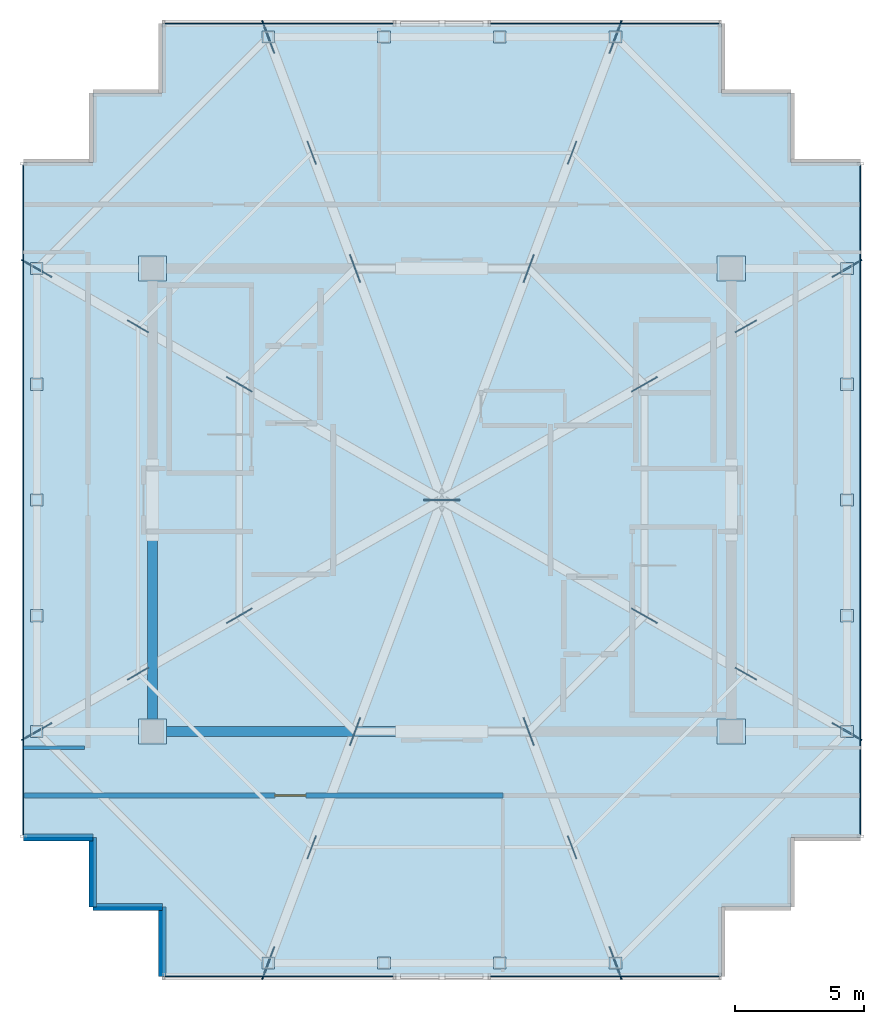
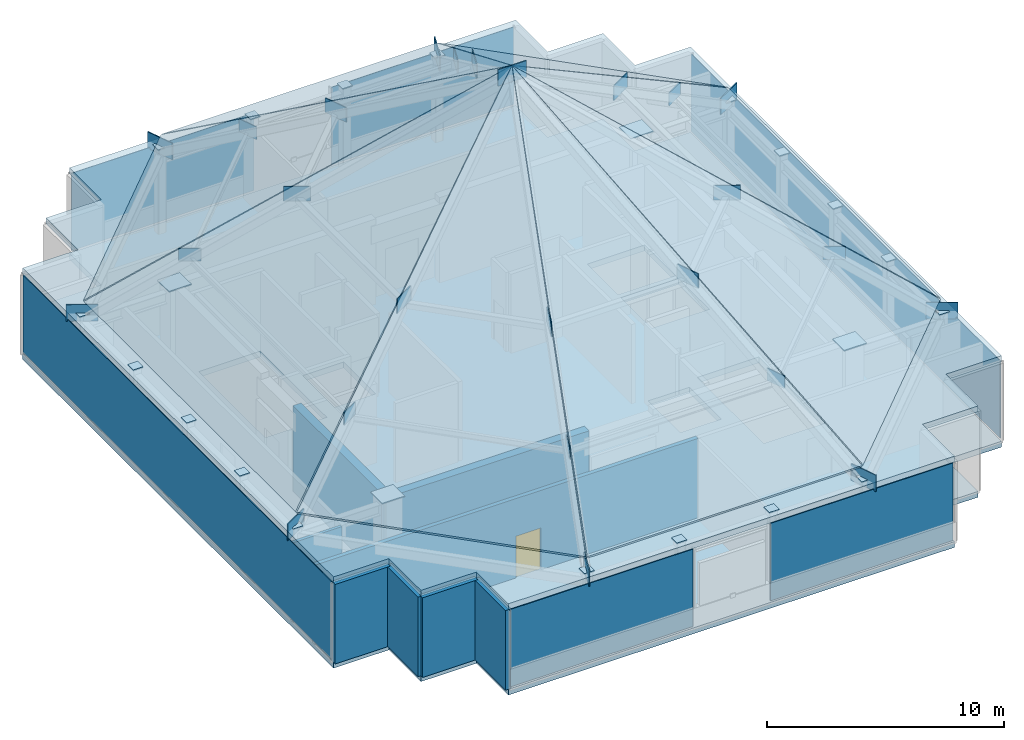
# One storey, part 14 of 17: 53 plates, 10 slabs, 8 walls, 1 door, 1 opening, 6 elements without a shape of their own.
"""IFC4 building model written with IfcOpenShell, lengths in metres."""

from ifc_helpers import new_model, si_unit, direction, frame, frame_2d, origin, origin_2d, place, context, subcontext, project, spatial, polyline, rectangle, outline, extrude, source, transform, mapped, material, layer, layer_set, type_object, element, fill, aggregate, save


model = new_model("IFC4")

# Units and contexts
model_context = context("Model", 3, precision=1e-05, world=origin(), true_north=direction((0.0, 1.0)))
body_context = subcontext(model_context, "Body", "Model", "MODEL_VIEW")
ifc_project = project(units=[si_unit("LENGTHUNIT", "METRE"), si_unit("AREAUNIT", "SQUARE_METRE"), si_unit("VOLUMEUNIT", "CUBIC_METRE"), si_unit("PLANEANGLEUNIT", "RADIAN"), si_unit("MASSUNIT", "GRAM", prefix="KILO")], contexts=[model_context])

# Site, building, storey
site_placement = place(None, origin())
site = spatial("IfcSite", under=ifc_project, at=site_placement, CompositionType="ELEMENT")
building_placement = place(site_placement, origin())
building = spatial("IfcBuilding", under=site, at=building_placement, Name="Nefas-Gora Pilgrimage Tower", CompositionType="ELEMENT")
storey_placement = place(building_placement, frame((0.0, 0.0, 367.39990234375)))
storey = spatial("IfcBuildingStorey", under=building, at=storey_placement, Name="L92", CompositionType="ELEMENT", Elevation=367.39990234375)

# Slabs
ifc_material_1 = material(Name="Precast concrete C45/55", Category="concrete")
ifc_layer_1 = layer(ifc_material_1, 0.219970703125)
ifc_layer_set_1 = layer_set([ifc_layer_1], Name="Precast concrete C45/55")
slab_type_1 = type_object("IfcSlabType", Name="SLB-CROWN-220", PredefinedType="ROOF", material=ifc_layer_set_1)
slab_1_placement = place(storey_placement, frame((15.7080078125, -8.927978515625, 5.02783203125), z_axis=(0.609306005038, 0.0, 0.792935175298), x_axis=(0.0, 1.0, 0.0)))
element("IfcSlab", 1, at=slab_1_placement, inside=storey, type_object=slab_type_1, Name="Glass-Point Crown Faceted Roof Plane 1", PredefinedType="ROOF", context=body_context, shape_type="SweptSolid", body=[
    extrude(outline(polyline([(0.0, 0.0), (17.85595703125, 0.0), (8.927978515625, 19.796712587167566), (0.0, 0.0)])), origin(), (0.0, 0.0, -1.0), 0.219970703125),
])
slab_2_placement = place(storey_placement, frame((15.68408203125, 9.0, 5.02783203125), z_axis=(0.402191260883, 0.402191260883, 0.822486704658), x_axis=(-0.707106781187, 0.707106781187, 0.0)))
element("IfcSlab", 2, at=slab_2_placement, inside=storey, type_object=slab_type_1, Name="Glass-Point Crown Faceted Roof Plane 2", PredefinedType="ROOF", context=body_context, shape_type="SweptSolid", body=[
    extrude(outline(polyline([(0.0, 0.0), (12.62606830137249, 0.0), (4.727395531253031, 21.207081665215227), (0.0, 0.0)])), origin(), (0.0, 0.0, -1.0), 0.219970703125),
])
slab_3_placement = place(storey_placement, frame((6.696044921875, 17.951904296875, 5.02783203125), z_axis=(0.0, 0.557971844715, 0.829859880044), x_axis=(-1.0, 0.0, 0.0)))
element("IfcSlab", 3, at=slab_3_placement, inside=storey, type_object=slab_type_1, Name="Glass-Point Crown Faceted Roof Plane 3", PredefinedType="ROOF", context=body_context, shape_type="SweptSolid", body=[
    extrude(outline(polyline([(0.0, 0.0), (13.39208984375, 0.0), (6.696044921875, 21.618036776652723), (0.0, 0.0)])), origin(), (0.0, 0.0, -1.0), 0.219970703125),
])
slab_4_placement = place(storey_placement, frame((-6.756103515625, 17.927978515625, 5.02783203125), z_axis=(-0.402191260883, 0.402191260883, 0.822486704658), x_axis=(-0.707106781187, -0.707106781187, 0.0)))
element("IfcSlab", 4, at=slab_4_placement, inside=storey, type_object=slab_type_1, Name="Glass-Point Crown Faceted Roof Plane 4", PredefinedType="ROOF", context=body_context, shape_type="SweptSolid", body=[
    extrude(outline(polyline([(0.0, 0.0), (12.62606830137249, 0.0), (7.8986727701194575, 21.20708166521523), (0.0, 0.0)])), origin(), (0.0, 0.0, -1.0), 0.219970703125),
])
slab_5_placement = place(storey_placement, frame((-15.7080078125, 8.927978515625, 5.02783203125), z_axis=(-0.609306005038, 0.0, 0.792935175298), x_axis=(0.0, -1.0, 0.0)))
element("IfcSlab", 5, at=slab_5_placement, inside=storey, type_object=slab_type_1, Name="Glass-Point Crown Faceted Roof Plane 5", PredefinedType="ROOF", context=body_context, shape_type="SweptSolid", body=[
    extrude(outline(polyline([(0.0, 0.0), (17.85595703125, 0.0), (8.927978515625, 19.796712587167566), (0.0, 0.0)])), origin(), (0.0, 0.0, -1.0), 0.219970703125),
])
slab_6_placement = place(storey_placement, frame((-15.68408203125, -9.0, 5.02783203125), z_axis=(-0.402191260883, -0.402191260883, 0.822486704658), x_axis=(0.707106781187, -0.707106781187, 0.0)))
element("IfcSlab", 6, at=slab_6_placement, inside=storey, type_object=slab_type_1, Name="Glass-Point Crown Faceted Roof Plane 6", PredefinedType="ROOF", context=body_context, shape_type="SweptSolid", body=[
    extrude(outline(polyline([(0.0, 0.0), (12.62606830137249, 0.0), (4.727395531253031, 21.207081665215227), (0.0, 0.0)])), origin(), (0.0, 0.0, -1.0), 0.219970703125),
])
slab_7_placement = place(storey_placement, frame((-6.696044921875, -17.951904296875, 5.02783203125), z_axis=(0.0, -0.557971844715, 0.829859880044), x_axis=(1.0, 0.0, 0.0)))
element("IfcSlab", 7, at=slab_7_placement, inside=storey, type_object=slab_type_1, Name="Glass-Point Crown Faceted Roof Plane 7", PredefinedType="ROOF", context=body_context, shape_type="SweptSolid", body=[
    extrude(outline(polyline([(0.0, 0.0), (13.39208984375, 0.0), (6.696044921875, 21.618036776652723), (0.0, 0.0)])), origin(), (0.0, 0.0, -1.0), 0.219970703125),
])
slab_8_placement = place(storey_placement, frame((6.756103515625, -17.927978515625, 5.02783203125), z_axis=(0.402191260883, -0.402191260883, 0.822486704658), x_axis=(0.707106781187, 0.707106781187, 0.0)))
element("IfcSlab", 8, at=slab_8_placement, inside=storey, type_object=slab_type_1, Name="Glass-Point Crown Faceted Roof Plane 8", PredefinedType="ROOF", context=body_context, shape_type="SweptSolid", body=[
    extrude(outline(polyline([(0.0, 0.0), (12.62606830137249, 0.0), (7.8986727701194575, 21.20708166521523), (0.0, 0.0)])), origin(), (0.0, 0.0, -1.0), 0.219970703125),
])
ifc_material_2 = material(Name="Concrete C45/55", Category="concrete")
ifc_layer_2 = layer(ifc_material_2, 0.300048828125)
ifc_layer_set_2 = layer_set([ifc_layer_2], Name="Concrete C45/55")
slab_type_2 = type_object("IfcSlabType", Name="SLB-SPEC-300", PredefinedType="FLOOR", material=ifc_layer_set_2)
slab_9_placement = place(storey_placement, frame((0.0, 0.0, -0.2998046875)))
element("IfcSlab", 9, at=slab_9_placement, inside=storey, type_object=slab_type_2, Name="L92 Structural Floor Slab", PredefinedType="FLOOR", context=body_context, shape_type="SweptSolid", body=[
    extrude(outline(polyline([(16.27001953125, 13.1201171875), (13.570068359375, 13.1201171875), (13.570068359375, 15.820068359375), (10.8701171875, 15.820068359375), (10.8701171875, 18.52001953125), (-10.8701171875, 18.52001953125), (-10.8701171875, 15.820068359375), (-13.570068359375, 15.820068359375), (-13.570068359375, 13.1201171875), (-16.27001953125, 13.1201171875), (-16.27001953125, -13.1201171875), (-13.570068359375, -13.1201171875), (-13.570068359375, -15.820068359375), (-10.8701171875, -15.820068359375), (-10.8701171875, -18.52001953125), (10.8701171875, -18.52001953125), (10.8701171875, -15.820068359375), (13.570068359375, -15.820068359375), (13.570068359375, -13.1201171875), (16.27001953125, -13.1201171875), (16.27001953125, 13.1201171875)]), holes=[polyline([(-10.5, 2.639892578125), (-10.5, 8.25), (-7.5, 8.25), (-7.5, 2.639892578125), (-10.5, 2.639892578125)]), polyline([(10.5, -2.639892578125), (10.5, -8.25), (7.5, -8.25), (7.5, -2.639892578125), (10.5, -2.639892578125)]), polyline([(-6.85009765625, 5.800048828125), (-4.85009765625, 5.800048828125), (-4.85009765625, 3.10009765625), (-6.85009765625, 3.10009765625), (-6.85009765625, 5.800048828125)]), polyline([(4.85009765625, -3.10009765625), (6.85009765625, -3.10009765625), (6.85009765625, -5.800048828125), (4.85009765625, -5.800048828125), (4.85009765625, -3.10009765625)]), polyline([(7.64990234375, 4.050048828125), (10.449951171875, 4.050048828125), (10.449951171875, 1.449951171875), (7.64990234375, 1.449951171875), (7.64990234375, 4.050048828125)]), polyline([(7.64990234375, 6.89990234375), (10.449951171875, 6.89990234375), (10.449951171875, 4.300048828125), (7.64990234375, 4.300048828125), (7.64990234375, 6.89990234375)])]), origin(), (0.0, 0.0, 1.0), 0.2998046875),
])
slab_10_placement = place(storey_placement, frame((0.0, 0.0, 4.10009765625)))
element("IfcSlab", 10, at=slab_10_placement, inside=storey, type_object=slab_type_2, Name="L92 Crown Base Structural Collar Deck", PredefinedType="FLOOR", context=body_context, shape_type="SweptSolid", body=[
    extrude(outline(polyline([(16.27001953125, 13.1201171875), (13.570068359375, 13.1201171875), (13.570068359375, 15.820068359375), (10.8701171875, 15.820068359375), (10.8701171875, 18.52001953125), (-10.8701171875, 18.52001953125), (-10.8701171875, 15.820068359375), (-13.570068359375, 15.820068359375), (-13.570068359375, 13.1201171875), (-16.27001953125, 13.1201171875), (-16.27001953125, -13.1201171875), (-13.570068359375, -13.1201171875), (-13.570068359375, -15.820068359375), (-10.8701171875, -15.820068359375), (-10.8701171875, -18.52001953125), (10.8701171875, -18.52001953125), (10.8701171875, -15.820068359375), (13.570068359375, -15.820068359375), (13.570068359375, -13.1201171875), (16.27001953125, -13.1201171875), (16.27001953125, 13.1201171875)])), origin(), (0.0, 0.0, 1.0), 0.300048828125),
])

# Plates
ifc_material_3 = material(Name="Steel S460", Category="steel")
ifc_layer_3 = layer(ifc_material_3, 0.0400390625)
ifc_layer_set_3 = layer_set([ifc_layer_3], Name="Steel S460")
plate_type_1 = type_object("IfcPlateType", Name="PLT-ENDCAP-40", PredefinedType="SHEET", material=ifc_layer_set_3)
shared_shape_1 = source(origin(), body_context, "Body", "SweptSolid", [
    extrude(rectangle(XDim=0.488037109375, YDim=0.47998046875, at=origin_2d()), origin(), (0.0, 0.0, 1.0), 0.050048828125),
])
for number, where, z_axis, x_axis, name in (
    (11, (-15.75, -9.0, 4.375), (0.0, 0.0, 1.0), (1.0, 0.0, 0.0), "L92 Setback Hollow Column Top Cap Plate 76"),
    (12, (-15.75, -4.5, 4.375), (0.0, 0.0, 1.0), (1.0, 0.0, 0.0), "L92 Setback Hollow Column Top Cap Plate 77"),
    (13, (-15.75, 0.0, 4.375), (0.0, 0.0, 1.0), (1.0, 0.0, 0.0), "L92 Setback Hollow Column Top Cap Plate 78"),
    (14, (-15.75, 4.5, 4.375), (0.0, 0.0, 1.0), (1.0, 0.0, 0.0), "L92 Setback Hollow Column Top Cap Plate 79"),
    (15, (-15.75, 9.0, 4.375), (0.0, 0.0, 1.0), (1.0, 0.0, 0.0), "L92 Setback Hollow Column Top Cap Plate 80"),
    (16, (-6.75, -18.0, 4.375), (0.0, 0.0, 1.0), (1.0, 0.0, 0.0), "L92 Setback Hollow Column Top Cap Plate 83"),
    (17, (-6.75, 18.0, 4.375), (0.0, 0.0, 1.0), (1.0, 0.0, 0.0), "L92 Setback Hollow Column Top Cap Plate 84"),
    (18, (-2.25, -18.0, 4.375), (0.0, 0.0, 1.0), (1.0, 0.0, 0.0), "L92 Setback Hollow Column Top Cap Plate 85"),
    (19, (-2.25, 18.0, 4.375), (0.0, 0.0, 1.0), (1.0, 0.0, 0.0), "L92 Setback Hollow Column Top Cap Plate 86"),
    (20, (2.25, -18.0, 4.375), (0.0, 0.0, 1.0), (1.0, 0.0, 0.0), "L92 Setback Hollow Column Top Cap Plate 87"),
    (21, (2.25, 18.0, 4.375), (0.0, 0.0, 1.0), (1.0, 0.0, 0.0), "L92 Setback Hollow Column Top Cap Plate 88"),
    (22, (6.75, -18.0, 4.375), (0.0, 0.0, 1.0), (1.0, 0.0, 0.0), "L92 Setback Hollow Column Top Cap Plate 89"),
    (23, (6.75, 18.0, 4.375), (0.0, 0.0, 1.0), (1.0, 0.0, 0.0), "L92 Setback Hollow Column Top Cap Plate 90"),
    (24, (15.75, -9.0, 4.375), (0.0, 0.0, 1.0), (1.0, 0.0, 0.0), "L92 Setback Hollow Column Top Cap Plate 93"),
    (25, (15.75, -4.5, 4.375), (0.0, 0.0, 1.0), (1.0, 0.0, 0.0), "L92 Setback Hollow Column Top Cap Plate 94"),
    (26, (15.75, 0.0, 4.375), (0.0, 0.0, 1.0), (1.0, 0.0, 0.0), "L92 Setback Hollow Column Top Cap Plate 95"),
    (27, (15.75, 4.5, 4.375), (0.0, 0.0, 1.0), (1.0, 0.0, 0.0), "L92 Setback Hollow Column Top Cap Plate 96"),
    (28, (15.75, 9.0, 4.375), (0.0, 0.0, 1.0), (1.0, 0.0, 0.0), "L92 Setback Hollow Column Top Cap Plate 97"),
):
    element("IfcPlate", number, at=place(storey_placement, frame(where, z_axis=z_axis, x_axis=x_axis)), inside=storey, type_object=plate_type_1, Name=name, PredefinedType="SHEET", context=body_context, shape_type="MappedRepresentation", body=[
        mapped(shared_shape_1, transform((0.0, 0.0, 0.0), x_axis=(1.0, 0.0, 0.0), y_axis=(0.0, 1.0, 0.0), z_axis=(0.0, 0.0, 1.0), scale=1.0)),
    ])
shared_shape_2 = source(origin(), body_context, "Body", "SweptSolid", [
    extrude(rectangle(XDim=1.097900390625, YDim=0.97998046875, at=origin_2d()), origin(), (0.0, 0.0, 1.0), 0.050048828125),
])
for number, where, z_axis, x_axis, name in (
    (29, (-11.25, -9.0, 4.375), (0.0, 0.0, 1.0), (1.0, 0.0, 0.0), "L92 Setback Hollow Column Top Cap Plate 81"),
    (30, (-11.25, 9.0, 4.375), (0.0, 0.0, 1.0), (1.0, 0.0, 0.0), "L92 Setback Hollow Column Top Cap Plate 82"),
    (31, (11.25, -9.0, 4.375), (0.0, 0.0, 1.0), (1.0, 0.0, 0.0), "L92 Setback Hollow Column Top Cap Plate 91"),
    (32, (11.25, 9.0, 4.375), (0.0, 0.0, 1.0), (1.0, 0.0, 0.0), "L92 Setback Hollow Column Top Cap Plate 92"),
):
    element("IfcPlate", number, at=place(storey_placement, frame(where, z_axis=z_axis, x_axis=x_axis)), inside=storey, type_object=plate_type_1, Name=name, PredefinedType="SHEET", context=body_context, shape_type="MappedRepresentation", body=[
        mapped(shared_shape_2, transform((0.0, 0.0, 0.0), x_axis=(1.0, 0.0, 0.0), y_axis=(0.0, 1.0, 0.0), z_axis=(0.0, 0.0, 1.0), scale=1.0)),
    ])
ifc_layer_4 = layer(ifc_material_3, 0.055908203125)
ifc_layer_set_4 = layer_set([ifc_layer_4], Name="Steel S460")
plate_type_2 = type_object("IfcPlateType", Name="PLT-NODE-N11", PredefinedType="USERDEFINED", material=ifc_layer_set_4)
shared_shape_3 = source(origin(), body_context, "Body", "SweptSolid", [
    extrude(rectangle(XDim=1.35009765625, YDim=0.050048828125, at=origin_2d()), origin(), (0.0, 0.0, 1.0), 0.85009765625),
])
for number, where, z_axis, x_axis, name in (
    (33, (15.75, -9.0, 3.9951171875), (0.0, 0.0, 1.0), (0.868285407383, -0.496064966839, 0.0), "Structural Node Gusset Plate N11 (L92)"),
    (34, (15.75, 9.0, 3.9951171875), (0.0, 0.0, 1.0), (0.868285407383, 0.496064966839, 0.0), "Structural Node Gusset Plate N11 (L92)"),
    (35, (6.75, 18.0, 3.9951171875), (0.0, 0.0, 1.0), (0.35118806988, 0.936304939415, 0.0), "Structural Node Gusset Plate N11 (L92)"),
    (36, (-6.75, 18.0, 3.9951171875), (0.0, 0.0, 1.0), (-0.35118806988, 0.936304939415, 0.0), "Structural Node Gusset Plate N11 (L92)"),
    (37, (-15.75, 9.0, 3.9951171875), (0.0, 0.0, 1.0), (-0.868285407383, 0.496064966839, 0.0), "Structural Node Gusset Plate N11 (L92)"),
    (38, (-15.75, -9.0, 3.9951171875), (0.0, 0.0, 1.0), (-0.868285407383, -0.496064966839, 0.0), "Structural Node Gusset Plate N11 (L92)"),
    (39, (-6.75, -18.0, 3.9951171875), (0.0, 0.0, 1.0), (-0.35118806988, -0.936304939415, 0.0), "Structural Node Gusset Plate N11 (L92)"),
    (40, (6.75, -18.0, 3.9951171875), (0.0, 0.0, 1.0), (0.35118806988, -0.936304939415, 0.0), "Structural Node Gusset Plate N11 (L92)"),
):
    element("IfcPlate", number, at=place(storey_placement, frame(where, z_axis=z_axis, x_axis=x_axis)), inside=storey, type_object=plate_type_2, Name=name, ObjectType="GUSSET_PLATE", PredefinedType="USERDEFINED", context=body_context, shape_type="MappedRepresentation", body=[
        mapped(shared_shape_3, transform((0.0, 0.0, 0.0), x_axis=(1.0, 0.0, 0.0), y_axis=(0.0, 1.0, 0.0), z_axis=(0.0, 0.0, 1.0), scale=1.0)),
    ])
shared_shape_4 = source(origin(), body_context, "Body", "SweptSolid", [
    extrude(rectangle(XDim=1.14990234375, YDim=0.0458984375, at=origin_2d()), origin(), (0.0, 0.0, 1.0), 0.75),
])
for number, where, z_axis, x_axis, name in (
    (41, (7.875, -4.5, 10.155029296875), (0.0, 0.0, 1.0), (0.868285407383, -0.496064966839, 0.0), "Structural Node Gusset Plate N11 (L92)"),
    (42, (7.875, 4.5, 10.155029296875), (0.0, 0.0, 1.0), (0.868285407383, 0.496064966839, 0.0), "Structural Node Gusset Plate N11 (L92)"),
    (43, (3.375, 9.0, 10.155029296875), (0.0, 0.0, 1.0), (0.35118806988, 0.936304939415, 0.0), "Structural Node Gusset Plate N11 (L92)"),
    (44, (-3.375, 9.0, 10.155029296875), (0.0, 0.0, 1.0), (-0.35118806988, 0.936304939415, 0.0), "Structural Node Gusset Plate N11 (L92)"),
    (45, (-7.875, 4.5, 10.155029296875), (0.0, 0.0, 1.0), (-0.868285407383, 0.496064966839, 0.0), "Structural Node Gusset Plate N11 (L92)"),
    (46, (-7.875, -4.5, 10.155029296875), (0.0, 0.0, 1.0), (-0.868285407383, -0.496064966839, 0.0), "Structural Node Gusset Plate N11 (L92)"),
    (47, (-3.375, -9.0, 10.155029296875), (0.0, 0.0, 1.0), (-0.35118806988, -0.936304939415, 0.0), "Structural Node Gusset Plate N11 (L92)"),
    (48, (3.375, -9.0, 10.155029296875), (0.0, 0.0, 1.0), (0.35118806988, -0.936304939415, 0.0), "Structural Node Gusset Plate N11 (L92)"),
):
    element("IfcPlate", number, at=place(storey_placement, frame(where, z_axis=z_axis, x_axis=x_axis)), inside=storey, type_object=plate_type_2, Name=name, ObjectType="GUSSET_PLATE", PredefinedType="USERDEFINED", context=body_context, shape_type="MappedRepresentation", body=[
        mapped(shared_shape_4, transform((0.0, 0.0, 0.0), x_axis=(1.0, 0.0, 0.0), y_axis=(0.0, 1.0, 0.0), z_axis=(0.0, 0.0, 1.0), scale=1.0)),
    ])
shared_shape_5 = source(origin(), body_context, "Body", "SweptSolid", [
    extrude(rectangle(XDim=0.949951171875, YDim=0.0419921875, at=origin_2d()), origin(), (0.0, 0.0, 1.0), 0.64990234375),
])
for number, where, z_axis, x_axis, name in (
    (49, (11.8125, -6.75, 7.080078125), (0.0, 0.0, 1.0), (0.868285407383, -0.496064966839, 0.0), "Structural Node Gusset Plate N11 (L92)"),
    (50, (11.8125, 6.75, 7.080078125), (0.0, 0.0, 1.0), (0.868285407383, 0.496064966839, 0.0), "Structural Node Gusset Plate N11 (L92)"),
    (51, (5.0625, 13.5, 7.080078125), (0.0, 0.0, 1.0), (0.35118806988, 0.936304939415, 0.0), "Structural Node Gusset Plate N11 (L92)"),
    (52, (-5.0625, 13.5, 7.080078125), (0.0, 0.0, 1.0), (-0.35118806988, 0.936304939415, 0.0), "Structural Node Gusset Plate N11 (L92)"),
    (53, (-11.8125, 6.75, 7.080078125), (0.0, 0.0, 1.0), (-0.868285407383, 0.496064966839, 0.0), "Structural Node Gusset Plate N11 (L92)"),
    (54, (-11.8125, -6.75, 7.080078125), (0.0, 0.0, 1.0), (-0.868285407383, -0.496064966839, 0.0), "Structural Node Gusset Plate N11 (L92)"),
    (55, (-5.0625, -13.5, 7.080078125), (0.0, 0.0, 1.0), (-0.35118806988, -0.936304939415, 0.0), "Structural Node Gusset Plate N11 (L92)"),
    (56, (5.0625, -13.5, 7.080078125), (0.0, 0.0, 1.0), (0.35118806988, -0.936304939415, 0.0), "Structural Node Gusset Plate N11 (L92)"),
):
    element("IfcPlate", number, at=place(storey_placement, frame(where, z_axis=z_axis, x_axis=x_axis)), inside=storey, type_object=plate_type_2, Name=name, ObjectType="GUSSET_PLATE", PredefinedType="USERDEFINED", context=body_context, shape_type="MappedRepresentation", body=[
        mapped(shared_shape_5, transform((0.0, 0.0, 0.0), x_axis=(1.0, 0.0, 0.0), y_axis=(0.0, 1.0, 0.0), z_axis=(0.0, 0.0, 1.0), scale=1.0)),
    ])
ifc_layer_5 = layer(ifc_material_3, 0.05810546875)
ifc_layer_set_5 = layer_set([ifc_layer_5], Name="Steel S460")
plate_type_3 = type_object("IfcPlateType", Name="PLT-NODE-N12", PredefinedType="USERDEFINED", material=ifc_layer_set_5)
shared_shape_6 = source(origin(), body_context, "Body", "SweptSolid", [
    extrude(rectangle(XDim=1.39990234375, YDim=0.05810546875, at=origin_2d()), origin(), (0.0, 0.0, 1.0), 0.85009765625),
])
plate_1_placement = place(storey_placement, frame((0.0, 0.0, 16.275146484375), z_axis=(0.0, 0.0, 1.0), x_axis=(1.0, 0.0, 0.0)))
element("IfcPlate", 57, at=plate_1_placement, inside=storey, type_object=plate_type_3, Name="Structural Node Gusset Plate N12 (L92)", ObjectType="GUSSET_PLATE", PredefinedType="USERDEFINED", context=body_context, shape_type="MappedRepresentation", body=[
    mapped(shared_shape_6, transform((0.0, 0.0, 0.0), x_axis=(1.0, 0.0, 0.0), y_axis=(0.0, 1.0, 0.0), z_axis=(0.0, 0.0, 1.0), scale=1.0)),
])

# Curtain wall, plate
ifc_material_4 = material(Name="Dark ceramic-fritted solar-control aluminium-glass curtain wall", Category="aluminium")
ifc_layer_6 = layer(ifc_material_4, 0.219970703125)
ifc_layer_set_6 = layer_set([ifc_layer_6], Name="Dark ceramic-fritted solar-control aluminium-glass curtain wall")
curtain_wall_type = type_object("IfcCurtainWallType", Name="CW-SYS-6", PredefinedType="NOTDEFINED", material=ifc_layer_set_6)
curtain_wall_1_placement = place(storey_placement, origin())
curtain_wall_1 = element("IfcCurtainWall", 58, at=curtain_wall_1_placement, inside=storey, type_object=curtain_wall_type, Name="L92 Unitised Curtain Wall CW6", PredefinedType="NOTDEFINED")
ifc_material_5 = material(Name="Dark ceramic-printed low-e insulated glass", Category="glass")
ifc_layer_7 = layer(ifc_material_5, 0.0400390625)
ifc_layer_set_7 = layer_set([ifc_layer_7], Name="Dark ceramic-printed low-e insulated glass")
plate_type_4 = type_object("IfcPlateType", Name="CWP-PNL-6", PredefinedType="CURTAIN_PANEL", material=ifc_layer_set_7)
shared_shape_7 = source(origin(), body_context, "Body", "SweptSolid", [
    extrude(rectangle(XDim=8.889892578125, YDim=0.0400390625, at=origin_2d()), origin(), (0.0, 0.0, 1.0), 3.989990234375),
])
plate_2_placement = place(storey_placement, frame((6.3349609375, 18.52001953125, 0.10009765625), z_axis=(0.0, 0.0, 1.0), x_axis=(-1.0, 0.0, 0.0)))
plate_2 = element("IfcPlate", 59, at=plate_2_placement, type_object=plate_type_4, Name="CW6 Ceramic-Fritted Glazing Panel 1", PredefinedType="CURTAIN_PANEL", context=body_context, shape_type="MappedRepresentation", body=[
    mapped(shared_shape_7, transform((0.0, 0.0, 0.0), x_axis=(1.0, 0.0, 0.0), y_axis=(0.0, 1.0, 0.0), z_axis=(0.0, 0.0, 1.0), scale=1.0)),
])
aggregate(curtain_wall_1, [plate_2])

curtain_wall_2_placement = place(storey_placement, origin())
curtain_wall_2 = element("IfcCurtainWall", 60, at=curtain_wall_2_placement, inside=storey, type_object=curtain_wall_type, Name="L92 Unitised Curtain Wall CW6", PredefinedType="NOTDEFINED")
plate_3_placement = place(storey_placement, frame((-6.3349609375, 18.52001953125, 0.10009765625), z_axis=(0.0, 0.0, 1.0), x_axis=(-1.0, 0.0, 0.0)))
plate_3 = element("IfcPlate", 61, at=plate_3_placement, type_object=plate_type_4, Name="CW6 Ceramic-Fritted Glazing Panel 1", PredefinedType="CURTAIN_PANEL", context=body_context, shape_type="MappedRepresentation", body=[
    mapped(shared_shape_7, transform((0.0, 0.0, 0.0), x_axis=(1.0, 0.0, 0.0), y_axis=(0.0, 1.0, 0.0), z_axis=(0.0, 0.0, 1.0), scale=1.0)),
])
aggregate(curtain_wall_2, [plate_3])

curtain_wall_3_placement = place(storey_placement, origin())
curtain_wall_3 = element("IfcCurtainWall", 62, at=curtain_wall_3_placement, inside=storey, type_object=curtain_wall_type, Name="L92 Unitised Curtain Wall CW6", PredefinedType="NOTDEFINED")
plate_4_placement = place(storey_placement, frame((-6.3349609375, -18.52001953125, 0.10009765625), z_axis=(0.0, 0.0, 1.0), x_axis=(1.0, 0.0, 0.0)))
plate_4 = element("IfcPlate", 63, at=plate_4_placement, type_object=plate_type_4, Name="CW6 Ceramic-Fritted Glazing Panel 1", PredefinedType="CURTAIN_PANEL", context=body_context, shape_type="MappedRepresentation", body=[
    mapped(shared_shape_7, transform((0.0, 0.0, 0.0), x_axis=(1.0, 0.0, 0.0), y_axis=(0.0, 1.0, 0.0), z_axis=(0.0, 0.0, 1.0), scale=1.0)),
])
aggregate(curtain_wall_3, [plate_4])

curtain_wall_4_placement = place(storey_placement, origin())
curtain_wall_4 = element("IfcCurtainWall", 64, at=curtain_wall_4_placement, inside=storey, type_object=curtain_wall_type, Name="L92 Unitised Curtain Wall CW6", PredefinedType="NOTDEFINED")
plate_5_placement = place(storey_placement, frame((6.3349609375, -18.52001953125, 0.10009765625), z_axis=(0.0, 0.0, 1.0), x_axis=(1.0, 0.0, 0.0)))
plate_5 = element("IfcPlate", 65, at=plate_5_placement, type_object=plate_type_4, Name="CW6 Ceramic-Fritted Glazing Panel 1", PredefinedType="CURTAIN_PANEL", context=body_context, shape_type="MappedRepresentation", body=[
    mapped(shared_shape_7, transform((0.0, 0.0, 0.0), x_axis=(1.0, 0.0, 0.0), y_axis=(0.0, 1.0, 0.0), z_axis=(0.0, 0.0, 1.0), scale=1.0)),
])
aggregate(curtain_wall_4, [plate_5])

curtain_wall_5_placement = place(storey_placement, origin())
curtain_wall_5 = element("IfcCurtainWall", 66, at=curtain_wall_5_placement, inside=storey, type_object=curtain_wall_type, Name="L92 Unitised Curtain Wall CW6", PredefinedType="NOTDEFINED")
shared_shape_8 = source(origin(), body_context, "Body", "SweptSolid", [
    extrude(rectangle(XDim=26.06005859375, YDim=0.0400390625, at=origin_2d()), origin(), (0.0, 0.0, 1.0), 3.989990234375),
])
plate_6_placement = place(storey_placement, frame((-16.27001953125, 0.0, 0.10009765625), z_axis=(0.0, 0.0, 1.0), x_axis=(0.0, -1.0, 0.0)))
plate_6 = element("IfcPlate", 67, at=plate_6_placement, type_object=plate_type_4, Name="CW6 Ceramic-Fritted Glazing Panel 1", PredefinedType="CURTAIN_PANEL", context=body_context, shape_type="MappedRepresentation", body=[
    mapped(shared_shape_8, transform((0.0, 0.0, 0.0), x_axis=(1.0, 0.0, 0.0), y_axis=(0.0, 1.0, 0.0), z_axis=(0.0, 0.0, 1.0), scale=1.0)),
])
aggregate(curtain_wall_5, [plate_6])

curtain_wall_6_placement = place(storey_placement, origin())
curtain_wall_6 = element("IfcCurtainWall", 68, at=curtain_wall_6_placement, inside=storey, type_object=curtain_wall_type, Name="L92 Unitised Curtain Wall CW6", PredefinedType="NOTDEFINED")
plate_7_placement = place(storey_placement, frame((16.27001953125, 0.0, 0.10009765625), z_axis=(0.0, 0.0, 1.0), x_axis=(0.0, 1.0, 0.0)))
plate_7 = element("IfcPlate", 69, at=plate_7_placement, type_object=plate_type_4, Name="CW6 Ceramic-Fritted Glazing Panel 1", PredefinedType="CURTAIN_PANEL", context=body_context, shape_type="MappedRepresentation", body=[
    mapped(shared_shape_8, transform((0.0, 0.0, 0.0), x_axis=(1.0, 0.0, 0.0), y_axis=(0.0, 1.0, 0.0), z_axis=(0.0, 0.0, 1.0), scale=1.0)),
])
aggregate(curtain_wall_6, [plate_7])

# Walls
ifc_material_6 = material(Name="Concrete C50/60", Category="concrete")
ifc_layer_8 = layer(ifc_material_6, 0.39990234375)
ifc_layer_set_8 = layer_set([ifc_layer_8], Name="Concrete C50/60")
wall_type_1 = type_object("IfcWallType", Name="SW-CORE-400", PredefinedType="SHEAR", material=ifc_layer_set_8)
shared_shape_9 = source(origin(), body_context, "Body", "SweptSolid", [
    extrude(rectangle(XDim=9.89990234375, YDim=0.39990234375, at=frame_2d((4.949951171875, 0.0))), origin(), (0.0, 0.0, 1.0), 4.400146484375),
])
wall_1_placement = place(storey_placement, frame((-11.449951171875, -9.0, 0.0), z_axis=(0.0, 0.0, 1.0), x_axis=(1.0, 0.0, 0.0)))
element("IfcWall", 70, at=wall_1_placement, inside=storey, type_object=wall_type_1, Name="L92 Core Shear Wall S-West", PredefinedType="SHEAR", context=body_context, shape_type="MappedRepresentation", body=[
    mapped(shared_shape_9, transform((0.0, 0.0, 0.0), x_axis=(1.0, 0.0, 0.0), y_axis=(0.0, 1.0, 0.0), z_axis=(0.0, 0.0, 1.0), scale=1.0)),
])
shared_shape_10 = source(origin(), body_context, "Body", "SweptSolid", [
    extrude(rectangle(XDim=7.449951171875, YDim=0.39990234375, at=frame_2d((3.72509765625, 0.0))), origin(), (0.0, 0.0, 1.0), 4.400146484375),
])
wall_2_placement = place(storey_placement, frame((-11.25, -8.800048828125, 0.0), z_axis=(0.0, 0.0, 1.0), x_axis=(0.0, 1.0, 0.0)))
element("IfcWall", 71, at=wall_2_placement, inside=storey, type_object=wall_type_1, Name="L92 Core Shear Wall W-South", PredefinedType="SHEAR", context=body_context, shape_type="MappedRepresentation", body=[
    mapped(shared_shape_10, transform((0.0, 0.0, 0.0), x_axis=(1.0, 0.0, 0.0), y_axis=(0.0, 1.0, 0.0), z_axis=(0.0, 0.0, 1.0), scale=1.0)),
])
ifc_layer_9 = layer(ifc_material_1, 0.280029296875)
ifc_layer_set_9 = layer_set([ifc_layer_9], Name="Precast concrete C45/55")
wall_type_2 = type_object("IfcWallType", Name="EW-PLANT-280", PredefinedType="SOLIDWALL", material=ifc_layer_set_9)
shared_shape_11 = source(origin(), body_context, "Body", "SweptSolid", [
    extrude(rectangle(XDim=2.699951171875, YDim=0.280029296875, at=frame_2d((1.35009765625, 0.0))), origin(), (0.0, 0.0, 1.0), 4.10009765625),
])
for number, where, z_axis, x_axis, name in (
    (72, (-16.27001953125, -13.1201171875, 0.0), (0.0, 0.0, 1.0), (1.0, 0.0, 0.0), "L92 Serrated Corner Shear Pier Wall 10"),
    (73, (-13.570068359375, -13.1201171875, 0.0), (0.0, 0.0, 1.0), (0.0, -1.0, 0.0), "L92 Serrated Corner Shear Pier Wall 11"),
    (74, (-13.570068359375, -15.820068359375, 0.0), (0.0, 0.0, 1.0), (1.0, 0.0, 0.0), "L92 Serrated Corner Shear Pier Wall 12"),
    (75, (-10.8701171875, -15.820068359375, 0.0), (0.0, 0.0, 1.0), (0.0, -1.0, 0.0), "L92 Serrated Corner Shear Pier Wall 13"),
):
    element("IfcWall", number, at=place(storey_placement, frame(where, z_axis=z_axis, x_axis=x_axis)), inside=storey, type_object=wall_type_2, Name=name, PredefinedType="SOLIDWALL", context=body_context, shape_type="MappedRepresentation", body=[
        mapped(shared_shape_11, transform((0.0, 0.0, 0.0), x_axis=(1.0, 0.0, 0.0), y_axis=(0.0, 1.0, 0.0), z_axis=(0.0, 0.0, 1.0), scale=1.0)),
    ])
ifc_material_7 = material(Name="Gypsum twin-stud partition")
ifc_layer_10 = layer(ifc_material_7, 0.139892578125)
ifc_layer_set_10 = layer_set([ifc_layer_10], Name="Gypsum twin-stud partition")
wall_type_3 = type_object("IfcWallType", Name="IW-UNIT-140", PredefinedType="PARTITIONING", material=ifc_layer_set_10)
shared_shape_12 = source(origin(), body_context, "Body", "SweptSolid", [
    extrude(rectangle(XDim=2.400146484375, YDim=0.139892578125, at=frame_2d((1.2001953125, 0.0))), origin(), (0.0, 0.0, 1.0), 4.085205078125),
])
wall_3_placement = place(storey_placement, frame((-16.2900390625, -9.6298828125, 0.0), z_axis=(0.0, 0.0, 1.0), x_axis=(1.0, 0.0, 0.0)))
element("IfcWall", 76, at=wall_3_placement, inside=storey, type_object=wall_type_3, Name="L92 Emergency Power Switchgear Plant Room Partition Wall 22", PredefinedType="PARTITIONING", context=body_context, shape_type="MappedRepresentation", body=[
    mapped(shared_shape_12, transform((0.0, 0.0, 0.0), x_axis=(1.0, 0.0, 0.0), y_axis=(0.0, 1.0, 0.0), z_axis=(0.0, 0.0, 1.0), scale=1.0)),
])

# Wall, opening, door
ifc_material_8 = material(Name="Concrete C40/50", Category="concrete")
ifc_layer_11 = layer(ifc_material_8, 0.199951171875)
ifc_layer_set_11 = layer_set([ifc_layer_11], Name="Concrete C40/50")
wall_type_4 = type_object("IfcWallType", Name="IW-PLANT-200", PredefinedType="SOLIDWALL", material=ifc_layer_set_11)
shared_shape_13 = source(origin(), body_context, "Body", "SweptSolid", [
    extrude(rectangle(XDim=18.669921875, YDim=0.199951171875, at=frame_2d((9.3349609375, 0.0))), origin(), (0.0, 0.0, 1.0), 4.085205078125),
])
wall_4_placement = place(storey_placement, frame((-16.2900390625, -11.489990234375, 0.0), z_axis=(0.0, 0.0, 1.0), x_axis=(1.0, 0.0, 0.0)))
wall_4 = element("IfcWall", 77, at=wall_4_placement, inside=storey, type_object=wall_type_4, Name="L92 Stair Smoke Pressurisation Fan Plant Room Partition Wall 30", PredefinedType="SOLIDWALL", context=body_context, shape_type="MappedRepresentation", body=[
    mapped(shared_shape_13, transform((0.0, 0.0, 0.0), x_axis=(1.0, 0.0, 0.0), y_axis=(0.0, 1.0, 0.0), z_axis=(0.0, 0.0, 1.0), scale=1.0)),
])
opening_placement = place(wall_4_placement, frame((9.801025390625, 0.0, 0.0)))
opening = element("IfcOpeningElement", 78, at=opening_placement, cuts=wall_4, Name="Opening ID-PL1", PredefinedType="OPENING", context=body_context, shape_type="SweptSolid", body=[
    extrude(rectangle(XDim=1.199951171875, YDim=2.14990234375, at=frame_2d((0.60009765625, 1.074951171875))), frame((0.0, 0.10986328125, 0.0), z_axis=(0.0, -1.0, 0.0), x_axis=(1.0, 0.0, 0.0)), (0.0, 0.0, 1.0), 0.219970703125),
])
ifc_material_9 = material(Name="Heavy-duty steel plant room fire door", Category="steel")
door_type = type_object("IfcDoorType", Name="DR-INT-PLANT-1200", OperationType="NOTDEFINED", PredefinedType="DOOR", material=ifc_material_9)
shared_shape_14 = source(origin(), body_context, "Body", "SweptSolid", [
    extrude(rectangle(XDim=1.199951171875, YDim=2.14990234375, at=frame_2d((0.60009765625, 1.074951171875))), frame((0.0, 0.02490234375, 0.0), z_axis=(0.0, -1.0, 0.0), x_axis=(1.0, 0.0, 0.0)), (0.0, 0.0, 1.0), 0.050048828125),
])
door_placement = place(opening_placement, origin())
door = element("IfcDoor", 79, at=door_placement, inside=storey, type_object=door_type, Name="L92 Stair Smoke Pressurisation Fan Plant Room Door 12", OperationType="SINGLE_SWING_RIGHT", OverallHeight=2.14990234375, OverallWidth=1.199951171875, PredefinedType="DOOR", context=body_context, shape_type="MappedRepresentation", body=[
    mapped(shared_shape_14, transform((0.0, 0.0, 0.0), x_axis=(1.0, 0.0, 0.0), y_axis=(0.0, 1.0, 0.0), z_axis=(0.0, 0.0, 1.0), scale=1.0)),
])
fill(opening, door)

save(model, "model.ifc")
